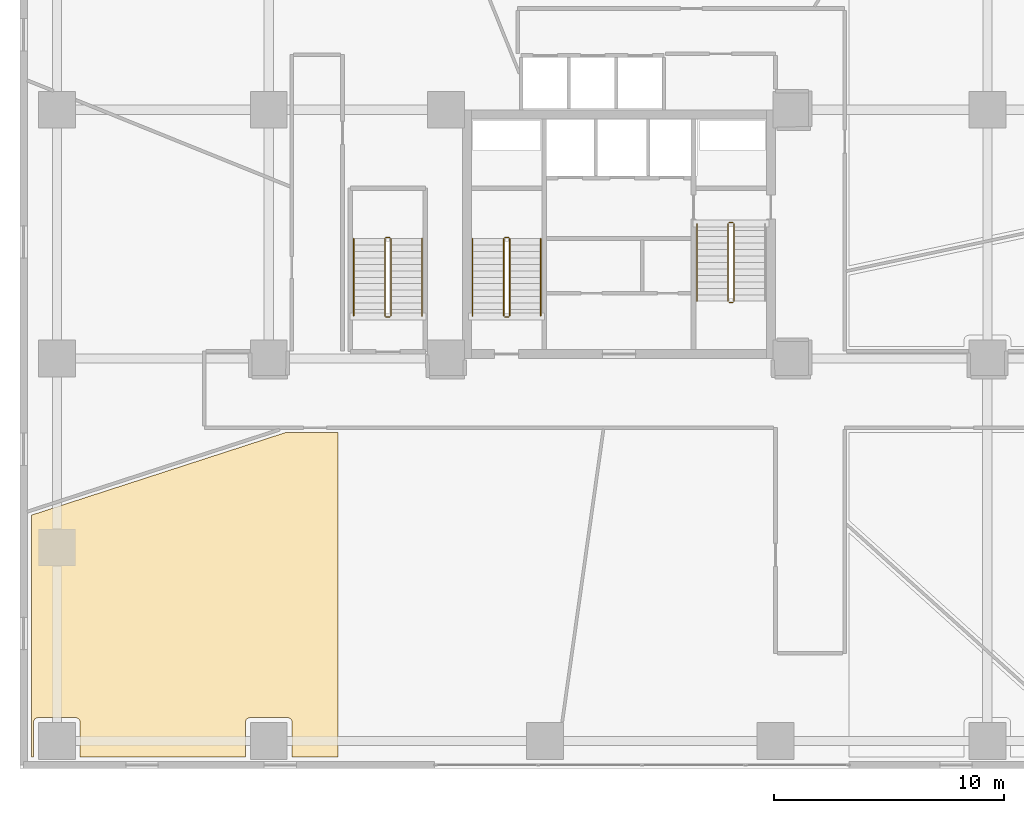
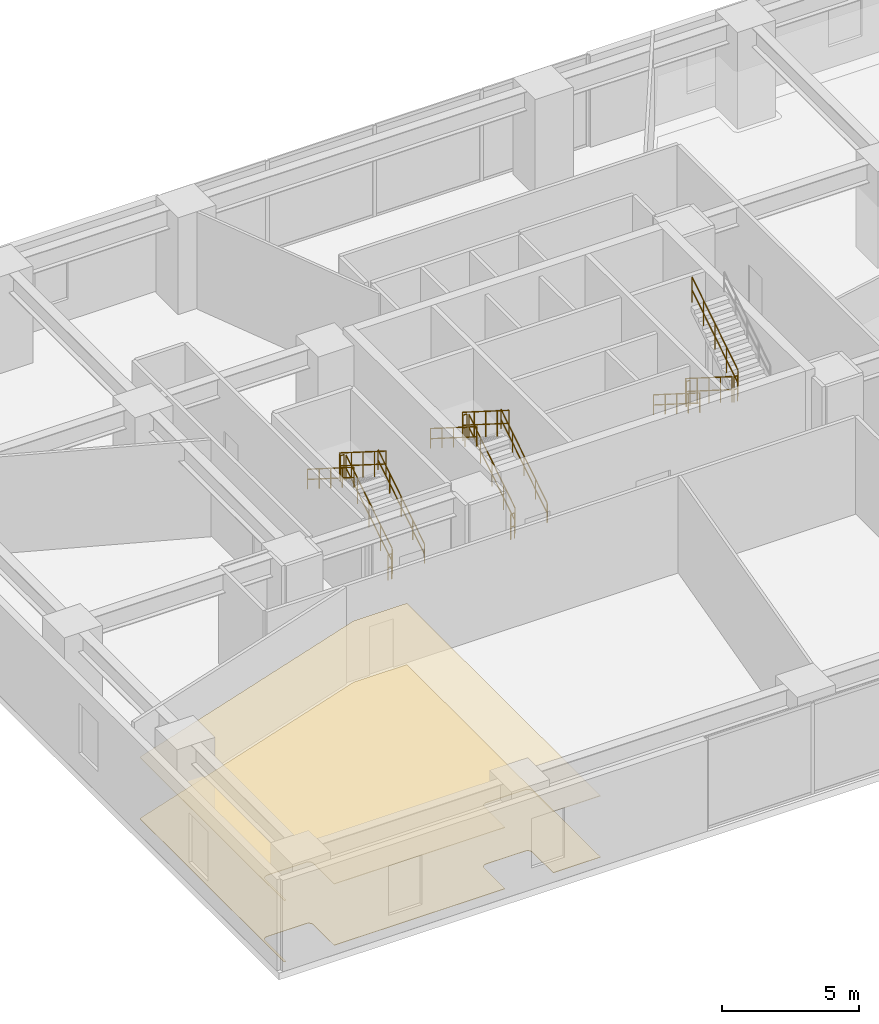
# One storey, part 22 of 24: 17 railings, 2 coverings.
"""IFC4 building model written with IfcOpenShell, lengths in metres."""

from ifc_helpers import new_model, si_unit, direction, frame, origin, origin_2d, place, context, subcontext, project, spatial, polyline, circle, outline, extrude, material, layer, layer_set, type_object, element, save


model = new_model("IFC4")

# Units and contexts
model_context = context("Model", 3, precision=1e-05, world=origin(), true_north=direction((0.0, 1.0)))
body_context = subcontext(model_context, "Body", "Model", "MODEL_VIEW")
ifc_project = project(units=[si_unit("LENGTHUNIT", "METRE"), si_unit("AREAUNIT", "SQUARE_METRE"), si_unit("VOLUMEUNIT", "CUBIC_METRE"), si_unit("PLANEANGLEUNIT", "RADIAN"), si_unit("MASSUNIT", "GRAM", prefix="KILO")], contexts=[model_context])

# Site, building, storey
site_placement = place(None, origin())
site = spatial("IfcSite", under=ifc_project, at=site_placement, CompositionType="ELEMENT")
building_placement = place(site_placement, origin())
building = spatial("IfcBuilding", under=site, at=building_placement, Name="Talar Marvaseh", CompositionType="ELEMENT")
storey_placement = place(building_placement, frame((0.0, 0.0, 9.800048828125)))
storey = spatial("IfcBuildingStorey", under=building, at=storey_placement, Name="L02", CompositionType="ELEMENT", Elevation=9.800048828125)

# Railings
ifc_material_1 = material(Name="Stainless Steel Grade 316", Category="steel")
railing_type_1 = type_object("IfcRailingType", Name="Brushed Stainless Wall Pitch Handrail 900", PredefinedType="HANDRAIL", material=ifc_material_1)
railing_1_placement = place(storey_placement, frame((22.610107421875, 27.64990234375, 0.1767578125)))
element("IfcRailing", 1, at=railing_1_placement, inside=storey, type_object=railing_type_1, Name="L02 ST-1 stair handrail 1", PredefinedType="HANDRAIL", context=body_context, shape_type="SweptSolid", body=[
    extrude(circle(Radius=0.02392578125, at=origin_2d()), frame((0.0, 0.0, 0.8759765625), z_axis=(0.0, 0.845361898145, 0.534194029511), x_axis=(-1.0, 0.0, 0.0)), (0.0, 0.0, 1.0), 3.974853515625),
    extrude(circle(Radius=0.02392578125, at=origin_2d()), frame((0.0, 0.0, 0.42578125), z_axis=(0.0, 0.845361898145, 0.534194029511), x_axis=(-1.0, 0.0, 0.0)), (0.0, 0.0, 1.0), 3.974853515625),
    extrude(circle(Radius=0.02099609375, at=origin_2d()), origin(), (0.0, 0.0, 1.0), 0.851806640625),
    extrude(circle(Radius=0.02099609375, at=origin_2d()), frame((0.0, 0.840087890625, 0.53076171875)), (0.0, 0.0, 1.0), 0.851806640625),
    extrude(circle(Radius=0.02099609375, at=origin_2d()), frame((0.0, 1.68017578125, 1.0615234375)), (0.0, 0.0, 1.0), 0.851806640625),
    extrude(circle(Radius=0.02099609375, at=origin_2d()), frame((0.0, 2.52001953125, 1.592529296875)), (0.0, 0.0, 1.0), 0.851806640625),
    extrude(circle(Radius=0.02099609375, at=origin_2d()), frame((0.0, 3.360107421875, 2.123291015625)), (0.0, 0.0, 1.0), 0.851806640625),
])
railing_2_placement = place(storey_placement, frame((19.64990234375, 31.010009765625, 2.476806640625)))
element("IfcRailing", 2, at=railing_2_placement, inside=storey, type_object=railing_type_1, Name="L02 ST-1 stair handrail 2", PredefinedType="HANDRAIL", context=body_context, shape_type="SweptSolid", body=[
    extrude(circle(Radius=0.02392578125, at=origin_2d()), frame((0.0, 0.0, 0.8759765625), z_axis=(0.0, -0.845389635667, 0.534150132366), x_axis=(1.0, 0.0, 0.0)), (0.0, 0.0, 1.0), 3.974609375),
    extrude(circle(Radius=0.02392578125, at=origin_2d()), frame((0.0, 0.0, 0.42578125), z_axis=(0.0, -0.845389635667, 0.534150132366), x_axis=(1.0, 0.0, 0.0)), (0.0, 0.0, 1.0), 3.974609375),
    extrude(circle(Radius=0.02099609375, at=origin_2d()), origin(), (0.0, 0.0, 1.0), 0.851806640625),
    extrude(circle(Radius=0.02099609375, at=origin_2d()), frame((0.0, -0.840087890625, 0.53076171875)), (0.0, 0.0, 1.0), 0.851806640625),
    extrude(circle(Radius=0.02099609375, at=origin_2d()), frame((0.0, -1.68017578125, 1.0615234375)), (0.0, 0.0, 1.0), 0.851806640625),
    extrude(circle(Radius=0.02099609375, at=origin_2d()), frame((0.0, -2.52001953125, 1.59228515625)), (0.0, 0.0, 1.0), 0.851806640625),
    extrude(circle(Radius=0.02099609375, at=origin_2d()), frame((0.0, -3.360107421875, 2.123046875)), (0.0, 0.0, 1.0), 0.851806640625),
])
railing_3_placement = place(storey_placement, frame((29.389892578125, 31.64990234375, 0.1767578125)))
element("IfcRailing", 3, at=railing_3_placement, inside=storey, type_object=railing_type_1, Name="L02 ST-2 stair handrail 1", PredefinedType="HANDRAIL", context=body_context, shape_type="SweptSolid", body=[
    extrude(circle(Radius=0.02392578125, at=origin_2d()), frame((0.0, 0.0, 0.8759765625), z_axis=(0.0, -0.845344368971, 0.534221768416), x_axis=(1.0, 0.0, 0.0)), (0.0, 0.0, 1.0), 3.974609375),
    extrude(circle(Radius=0.02392578125, at=origin_2d()), frame((0.0, 0.0, 0.42578125), z_axis=(0.0, -0.845344368971, 0.534221768416), x_axis=(1.0, 0.0, 0.0)), (0.0, 0.0, 1.0), 3.974609375),
    extrude(circle(Radius=0.02099609375, at=origin_2d()), origin(), (0.0, 0.0, 1.0), 0.851806640625),
    extrude(circle(Radius=0.02099609375, at=origin_2d()), frame((0.0, -0.83984375, 0.53076171875)), (0.0, 0.0, 1.0), 0.851806640625),
    extrude(circle(Radius=0.02099609375, at=origin_2d()), frame((0.0, -1.679931640625, 1.0615234375)), (0.0, 0.0, 1.0), 0.851806640625),
    extrude(circle(Radius=0.02099609375, at=origin_2d()), frame((0.0, -2.52001953125, 1.592529296875)), (0.0, 0.0, 1.0), 0.851806640625),
    extrude(circle(Radius=0.02099609375, at=origin_2d()), frame((0.0, -3.35986328125, 2.123291015625)), (0.0, 0.0, 1.0), 0.851806640625),
])
railing_4_placement = place(storey_placement, frame((17.449951171875, 27.64990234375, 0.1767578125)))
element("IfcRailing", 4, at=railing_4_placement, inside=storey, type_object=railing_type_1, Name="L02 ST-3 stair handrail 1", PredefinedType="HANDRAIL", context=body_context, shape_type="SweptSolid", body=[
    extrude(circle(Radius=0.02392578125, at=origin_2d()), frame((0.0, 0.0, 0.8759765625), z_axis=(0.0, 0.845361898145, 0.534194029511), x_axis=(-1.0, 0.0, 0.0)), (0.0, 0.0, 1.0), 3.974853515625),
    extrude(circle(Radius=0.02392578125, at=origin_2d()), frame((0.0, 0.0, 0.42578125), z_axis=(0.0, 0.845361898145, 0.534194029511), x_axis=(-1.0, 0.0, 0.0)), (0.0, 0.0, 1.0), 3.974853515625),
    extrude(circle(Radius=0.02099609375, at=origin_2d()), origin(), (0.0, 0.0, 1.0), 0.851806640625),
    extrude(circle(Radius=0.02099609375, at=origin_2d()), frame((0.0, 0.840087890625, 0.53076171875)), (0.0, 0.0, 1.0), 0.851806640625),
    extrude(circle(Radius=0.02099609375, at=origin_2d()), frame((0.0, 1.68017578125, 1.0615234375)), (0.0, 0.0, 1.0), 0.851806640625),
    extrude(circle(Radius=0.02099609375, at=origin_2d()), frame((0.0, 2.52001953125, 1.592529296875)), (0.0, 0.0, 1.0), 0.851806640625),
    extrude(circle(Radius=0.02099609375, at=origin_2d()), frame((0.0, 3.360107421875, 2.123291015625)), (0.0, 0.0, 1.0), 0.851806640625),
])
railing_5_placement = place(storey_placement, frame((14.489990234375, 31.010009765625, 2.476806640625)))
element("IfcRailing", 5, at=railing_5_placement, inside=storey, type_object=railing_type_1, Name="L02 ST-3 stair handrail 2", PredefinedType="HANDRAIL", context=body_context, shape_type="SweptSolid", body=[
    extrude(circle(Radius=0.02392578125, at=origin_2d()), frame((0.0, 0.0, 0.8759765625), z_axis=(0.0, -0.845389635667, 0.534150132366), x_axis=(1.0, 0.0, 0.0)), (0.0, 0.0, 1.0), 3.974609375),
    extrude(circle(Radius=0.02392578125, at=origin_2d()), frame((0.0, 0.0, 0.42578125), z_axis=(0.0, -0.845389635667, 0.534150132366), x_axis=(1.0, 0.0, 0.0)), (0.0, 0.0, 1.0), 3.974609375),
    extrude(circle(Radius=0.02099609375, at=origin_2d()), origin(), (0.0, 0.0, 1.0), 0.851806640625),
    extrude(circle(Radius=0.02099609375, at=origin_2d()), frame((0.0, -0.840087890625, 0.53076171875)), (0.0, 0.0, 1.0), 0.851806640625),
    extrude(circle(Radius=0.02099609375, at=origin_2d()), frame((0.0, -1.68017578125, 1.0615234375)), (0.0, 0.0, 1.0), 0.851806640625),
    extrude(circle(Radius=0.02099609375, at=origin_2d()), frame((0.0, -2.52001953125, 1.59228515625)), (0.0, 0.0, 1.0), 0.851806640625),
    extrude(circle(Radius=0.02099609375, at=origin_2d()), frame((0.0, -3.360107421875, 2.123046875)), (0.0, 0.0, 1.0), 0.851806640625),
])
railing_type_2 = type_object("IfcRailingType", Name="Painted Steel Core Stair Well Guardrail 1150", PredefinedType="GUARDRAIL", material=ifc_material_1)
railing_6_placement = place(storey_placement, frame((21.260009765625, 27.64990234375, 0.1767578125)))
element("IfcRailing", 6, at=railing_6_placement, inside=storey, type_object=railing_type_2, Name="L02 ST-1 stair guard 1", PredefinedType="GUARDRAIL", context=body_context, shape_type="SweptSolid", body=[
    extrude(circle(Radius=0.02392578125, at=origin_2d()), frame((0.0, 0.0, 1.1259765625), z_axis=(0.0, 0.845361898145, 0.534194029511), x_axis=(-1.0, 0.0, 0.0)), (0.0, 0.0, 1.0), 3.974853515625),
    extrude(circle(Radius=0.02392578125, at=origin_2d()), frame((0.0, 0.0, 0.55078125), z_axis=(0.0, 0.845361898145, 0.534194029511), x_axis=(-1.0, 0.0, 0.0)), (0.0, 0.0, 1.0), 3.974853515625),
    extrude(circle(Radius=0.02099609375, at=origin_2d()), origin(), (0.0, 0.0, 1.0), 1.101806640625),
    extrude(circle(Radius=0.02099609375, at=origin_2d()), frame((0.0, 0.840087890625, 0.53076171875)), (0.0, 0.0, 1.0), 1.101806640625),
    extrude(circle(Radius=0.02099609375, at=origin_2d()), frame((0.0, 1.68017578125, 1.0615234375)), (0.0, 0.0, 1.0), 1.101806640625),
    extrude(circle(Radius=0.02099609375, at=origin_2d()), frame((0.0, 2.52001953125, 1.592529296875)), (0.0, 0.0, 1.0), 1.101806640625),
    extrude(circle(Radius=0.02099609375, at=origin_2d()), frame((0.0, 3.360107421875, 2.123291015625)), (0.0, 0.0, 1.0), 1.101806640625),
])
railing_7_placement = place(storey_placement, frame((21.2099609375, 31.06005859375, 2.300048828125)))
element("IfcRailing", 7, at=railing_7_placement, inside=storey, type_object=railing_type_2, Name="L02 ST-1 stair guard 2", PredefinedType="GUARDRAIL", context=body_context, shape_type="SweptSolid", body=[
    extrude(circle(Radius=0.02392578125, at=origin_2d()), frame((0.0, 0.0, 1.1259765625), z_axis=(-1.0, 0.0, 0.0), x_axis=(0.0, -1.0, 0.0)), (0.0, 0.0, 1.0), 0.159912109375),
    extrude(circle(Radius=0.02392578125, at=origin_2d()), frame((0.0, 0.0, 0.55078125), z_axis=(-1.0, 0.0, 0.0), x_axis=(0.0, -1.0, 0.0)), (0.0, 0.0, 1.0), 0.159912109375),
    extrude(circle(Radius=0.02099609375, at=origin_2d()), origin(), (0.0, 0.0, 1.0), 1.101806640625),
    extrude(circle(Radius=0.02099609375, at=origin_2d()), frame((-0.159912109375, 0.0, 0.0)), (0.0, 0.0, 1.0), 1.101806640625),
])
railing_8_placement = place(storey_placement, frame((21.0, 31.010009765625, 2.476806640625)))
element("IfcRailing", 8, at=railing_8_placement, inside=storey, type_object=railing_type_2, Name="L02 ST-1 stair guard 3", PredefinedType="GUARDRAIL", context=body_context, shape_type="SweptSolid", body=[
    extrude(circle(Radius=0.02392578125, at=origin_2d()), frame((0.0, 0.0, 1.1259765625), z_axis=(0.0, -0.845389635667, 0.534150132366), x_axis=(1.0, 0.0, 0.0)), (0.0, 0.0, 1.0), 3.974609375),
    extrude(circle(Radius=0.02392578125, at=origin_2d()), frame((0.0, 0.0, 0.55078125), z_axis=(0.0, -0.845389635667, 0.534150132366), x_axis=(1.0, 0.0, 0.0)), (0.0, 0.0, 1.0), 3.974609375),
    extrude(circle(Radius=0.02099609375, at=origin_2d()), origin(), (0.0, 0.0, 1.0), 1.101806640625),
    extrude(circle(Radius=0.02099609375, at=origin_2d()), frame((0.0, -0.840087890625, 0.53076171875)), (0.0, 0.0, 1.0), 1.101806640625),
    extrude(circle(Radius=0.02099609375, at=origin_2d()), frame((0.0, -1.68017578125, 1.0615234375)), (0.0, 0.0, 1.0), 1.101806640625),
    extrude(circle(Radius=0.02099609375, at=origin_2d()), frame((0.0, -2.52001953125, 1.59228515625)), (0.0, 0.0, 1.0), 1.101806640625),
    extrude(circle(Radius=0.02099609375, at=origin_2d()), frame((0.0, -3.360107421875, 2.123046875)), (0.0, 0.0, 1.0), 1.101806640625),
])
railing_9_placement = place(storey_placement, frame((21.2099609375, 27.60009765625, 0.0)))
element("IfcRailing", 9, at=railing_9_placement, inside=storey, type_object=railing_type_2, Name="L02 ST-1 stair guard 4", PredefinedType="GUARDRAIL", context=body_context, shape_type="SweptSolid", body=[
    extrude(circle(Radius=0.02392578125, at=origin_2d()), frame((0.0, 0.0, 1.1259765625), z_axis=(-1.0, 0.0, 0.0), x_axis=(0.0, -1.0, 0.0)), (0.0, 0.0, 1.0), 0.159912109375),
    extrude(circle(Radius=0.02392578125, at=origin_2d()), frame((0.0, 0.0, 0.55078125), z_axis=(-1.0, 0.0, 0.0), x_axis=(0.0, -1.0, 0.0)), (0.0, 0.0, 1.0), 0.159912109375),
    extrude(circle(Radius=0.02099609375, at=origin_2d()), origin(), (0.0, 0.0, 1.0), 1.101806640625),
    extrude(circle(Radius=0.02099609375, at=origin_2d()), frame((-0.159912109375, 0.0, 0.0)), (0.0, 0.0, 1.0), 1.101806640625),
])
railing_10_placement = place(storey_placement, frame((30.739990234375, 31.64990234375, 0.1767578125)))
element("IfcRailing", 10, at=railing_10_placement, inside=storey, type_object=railing_type_2, Name="L02 ST-2 stair guard 1", PredefinedType="GUARDRAIL", context=body_context, shape_type="SweptSolid", body=[
    extrude(circle(Radius=0.02392578125, at=origin_2d()), frame((0.0, 0.0, 1.1259765625), z_axis=(0.0, -0.845344368971, 0.534221768416), x_axis=(1.0, 0.0, 0.0)), (0.0, 0.0, 1.0), 3.974609375),
    extrude(circle(Radius=0.02392578125, at=origin_2d()), frame((0.0, 0.0, 0.55078125), z_axis=(0.0, -0.845344368971, 0.534221768416), x_axis=(1.0, 0.0, 0.0)), (0.0, 0.0, 1.0), 3.974609375),
    extrude(circle(Radius=0.02099609375, at=origin_2d()), origin(), (0.0, 0.0, 1.0), 1.101806640625),
    extrude(circle(Radius=0.02099609375, at=origin_2d()), frame((0.0, -0.83984375, 0.53076171875)), (0.0, 0.0, 1.0), 1.101806640625),
    extrude(circle(Radius=0.02099609375, at=origin_2d()), frame((0.0, -1.679931640625, 1.0615234375)), (0.0, 0.0, 1.0), 1.101806640625),
    extrude(circle(Radius=0.02099609375, at=origin_2d()), frame((0.0, -2.52001953125, 1.592529296875)), (0.0, 0.0, 1.0), 1.101806640625),
    extrude(circle(Radius=0.02099609375, at=origin_2d()), frame((0.0, -3.35986328125, 2.123291015625)), (0.0, 0.0, 1.0), 1.101806640625),
])
railing_11_placement = place(storey_placement, frame((30.7900390625, 28.239990234375, 2.300048828125)))
element("IfcRailing", 11, at=railing_11_placement, inside=storey, type_object=railing_type_2, Name="L02 ST-2 stair guard 2", PredefinedType="GUARDRAIL", context=body_context, shape_type="SweptSolid", body=[
    extrude(circle(Radius=0.02392578125, at=origin_2d()), frame((0.0, 0.0, 1.1259765625), z_axis=(1.0, 0.0, 0.0), x_axis=(0.0, 1.0, 0.0)), (0.0, 0.0, 1.0), 0.159912109375),
    extrude(circle(Radius=0.02392578125, at=origin_2d()), frame((0.0, 0.0, 0.55078125), z_axis=(1.0, 0.0, 0.0), x_axis=(0.0, 1.0, 0.0)), (0.0, 0.0, 1.0), 0.159912109375),
    extrude(circle(Radius=0.02099609375, at=origin_2d()), origin(), (0.0, 0.0, 1.0), 1.101806640625),
    extrude(circle(Radius=0.02099609375, at=origin_2d()), frame((0.159912109375, 0.0, 0.0)), (0.0, 0.0, 1.0), 1.101806640625),
])
railing_12_placement = place(storey_placement, frame((31.0, 28.2900390625, 2.476806640625)))
element("IfcRailing", 12, at=railing_12_placement, inside=storey, type_object=railing_type_2, Name="L02 ST-2 stair guard 3", PredefinedType="GUARDRAIL", context=body_context, shape_type="SweptSolid", body=[
    extrude(circle(Radius=0.02392578125, at=origin_2d()), frame((0.0, 0.0, 1.1259765625), z_axis=(0.0, 0.845372108799, 0.534177870812), x_axis=(-1.0, 0.0, 0.0)), (0.0, 0.0, 1.0), 3.974365234375),
    extrude(circle(Radius=0.02392578125, at=origin_2d()), frame((0.0, 0.0, 0.55078125), z_axis=(0.0, 0.845372108799, 0.534177870812), x_axis=(-1.0, 0.0, 0.0)), (0.0, 0.0, 1.0), 3.974365234375),
    extrude(circle(Radius=0.02099609375, at=origin_2d()), origin(), (0.0, 0.0, 1.0), 1.101806640625),
    extrude(circle(Radius=0.02099609375, at=origin_2d()), frame((0.0, 0.83984375, 0.53076171875)), (0.0, 0.0, 1.0), 1.101806640625),
    extrude(circle(Radius=0.02099609375, at=origin_2d()), frame((0.0, 1.679931640625, 1.0615234375)), (0.0, 0.0, 1.0), 1.101806640625),
    extrude(circle(Radius=0.02099609375, at=origin_2d()), frame((0.0, 2.52001953125, 1.59228515625)), (0.0, 0.0, 1.0), 1.101806640625),
    extrude(circle(Radius=0.02099609375, at=origin_2d()), frame((0.0, 3.35986328125, 2.123046875)), (0.0, 0.0, 1.0), 1.101806640625),
])
railing_13_placement = place(storey_placement, frame((30.7900390625, 31.699951171875, 0.0)))
element("IfcRailing", 13, at=railing_13_placement, inside=storey, type_object=railing_type_2, Name="L02 ST-2 stair guard 4", PredefinedType="GUARDRAIL", context=body_context, shape_type="SweptSolid", body=[
    extrude(circle(Radius=0.02392578125, at=origin_2d()), frame((0.0, 0.0, 1.1259765625), z_axis=(1.0, 0.0, 0.0), x_axis=(0.0, 1.0, 0.0)), (0.0, 0.0, 1.0), 0.159912109375),
    extrude(circle(Radius=0.02392578125, at=origin_2d()), frame((0.0, 0.0, 0.55078125), z_axis=(1.0, 0.0, 0.0), x_axis=(0.0, 1.0, 0.0)), (0.0, 0.0, 1.0), 0.159912109375),
    extrude(circle(Radius=0.02099609375, at=origin_2d()), origin(), (0.0, 0.0, 1.0), 1.101806640625),
    extrude(circle(Radius=0.02099609375, at=origin_2d()), frame((0.159912109375, 0.0, 0.0)), (0.0, 0.0, 1.0), 1.101806640625),
])
railing_14_placement = place(storey_placement, frame((16.10009765625, 27.64990234375, 0.1767578125)))
element("IfcRailing", 14, at=railing_14_placement, inside=storey, type_object=railing_type_2, Name="L02 ST-3 stair guard 1", PredefinedType="GUARDRAIL", context=body_context, shape_type="SweptSolid", body=[
    extrude(circle(Radius=0.02392578125, at=origin_2d()), frame((0.0, 0.0, 1.1259765625), z_axis=(0.0, 0.845361898145, 0.534194029511), x_axis=(-1.0, 0.0, 0.0)), (0.0, 0.0, 1.0), 3.974853515625),
    extrude(circle(Radius=0.02392578125, at=origin_2d()), frame((0.0, 0.0, 0.55078125), z_axis=(0.0, 0.845361898145, 0.534194029511), x_axis=(-1.0, 0.0, 0.0)), (0.0, 0.0, 1.0), 3.974853515625),
    extrude(circle(Radius=0.02099609375, at=origin_2d()), origin(), (0.0, 0.0, 1.0), 1.101806640625),
    extrude(circle(Radius=0.02099609375, at=origin_2d()), frame((0.0, 0.840087890625, 0.53076171875)), (0.0, 0.0, 1.0), 1.101806640625),
    extrude(circle(Radius=0.02099609375, at=origin_2d()), frame((0.0, 1.68017578125, 1.0615234375)), (0.0, 0.0, 1.0), 1.101806640625),
    extrude(circle(Radius=0.02099609375, at=origin_2d()), frame((0.0, 2.52001953125, 1.592529296875)), (0.0, 0.0, 1.0), 1.101806640625),
    extrude(circle(Radius=0.02099609375, at=origin_2d()), frame((0.0, 3.360107421875, 2.123291015625)), (0.0, 0.0, 1.0), 1.101806640625),
])
railing_15_placement = place(storey_placement, frame((16.050048828125, 31.06005859375, 2.300048828125)))
element("IfcRailing", 15, at=railing_15_placement, inside=storey, type_object=railing_type_2, Name="L02 ST-3 stair guard 2", PredefinedType="GUARDRAIL", context=body_context, shape_type="SweptSolid", body=[
    extrude(circle(Radius=0.02392578125, at=origin_2d()), frame((0.0, 0.0, 1.1259765625), z_axis=(-1.0, 0.0, 0.0), x_axis=(0.0, -1.0, 0.0)), (0.0, 0.0, 1.0), 0.16015625),
    extrude(circle(Radius=0.02392578125, at=origin_2d()), frame((0.0, 0.0, 0.55078125), z_axis=(-1.0, 0.0, 0.0), x_axis=(0.0, -1.0, 0.0)), (0.0, 0.0, 1.0), 0.16015625),
    extrude(circle(Radius=0.02099609375, at=origin_2d()), origin(), (0.0, 0.0, 1.0), 1.101806640625),
    extrude(circle(Radius=0.02099609375, at=origin_2d()), frame((-0.16015625, 0.0, 0.0)), (0.0, 0.0, 1.0), 1.101806640625),
])
railing_16_placement = place(storey_placement, frame((15.840087890625, 31.010009765625, 2.476806640625)))
element("IfcRailing", 16, at=railing_16_placement, inside=storey, type_object=railing_type_2, Name="L02 ST-3 stair guard 3", PredefinedType="GUARDRAIL", context=body_context, shape_type="SweptSolid", body=[
    extrude(circle(Radius=0.02392578125, at=origin_2d()), frame((0.0, 0.0, 1.1259765625), z_axis=(0.0, -0.845389635667, 0.534150132366), x_axis=(1.0, 0.0, 0.0)), (0.0, 0.0, 1.0), 3.974609375),
    extrude(circle(Radius=0.02392578125, at=origin_2d()), frame((0.0, 0.0, 0.55078125), z_axis=(0.0, -0.845389635667, 0.534150132366), x_axis=(1.0, 0.0, 0.0)), (0.0, 0.0, 1.0), 3.974609375),
    extrude(circle(Radius=0.02099609375, at=origin_2d()), origin(), (0.0, 0.0, 1.0), 1.101806640625),
    extrude(circle(Radius=0.02099609375, at=origin_2d()), frame((0.0, -0.840087890625, 0.53076171875)), (0.0, 0.0, 1.0), 1.101806640625),
    extrude(circle(Radius=0.02099609375, at=origin_2d()), frame((0.0, -1.68017578125, 1.0615234375)), (0.0, 0.0, 1.0), 1.101806640625),
    extrude(circle(Radius=0.02099609375, at=origin_2d()), frame((0.0, -2.52001953125, 1.59228515625)), (0.0, 0.0, 1.0), 1.101806640625),
    extrude(circle(Radius=0.02099609375, at=origin_2d()), frame((0.0, -3.360107421875, 2.123046875)), (0.0, 0.0, 1.0), 1.101806640625),
])
railing_17_placement = place(storey_placement, frame((16.050048828125, 27.60009765625, 0.0)))
element("IfcRailing", 17, at=railing_17_placement, inside=storey, type_object=railing_type_2, Name="L02 ST-3 stair guard 4", PredefinedType="GUARDRAIL", context=body_context, shape_type="SweptSolid", body=[
    extrude(circle(Radius=0.02392578125, at=origin_2d()), frame((0.0, 0.0, 1.1259765625), z_axis=(-1.0, 0.0, 0.0), x_axis=(0.0, -1.0, 0.0)), (0.0, 0.0, 1.0), 0.16015625),
    extrude(circle(Radius=0.02392578125, at=origin_2d()), frame((0.0, 0.0, 0.55078125), z_axis=(-1.0, 0.0, 0.0), x_axis=(0.0, -1.0, 0.0)), (0.0, 0.0, 1.0), 0.16015625),
    extrude(circle(Radius=0.02099609375, at=origin_2d()), origin(), (0.0, 0.0, 1.0), 1.101806640625),
    extrude(circle(Radius=0.02099609375, at=origin_2d()), frame((-0.16015625, 0.0, 0.0)), (0.0, 0.0, 1.0), 1.101806640625),
])

# Coverings
ifc_material_2 = material(Name="Mineral Fibre Acoustic Ceiling")
ifc_layer_1 = layer(ifc_material_2, 0.02490234375)
ifc_layer_set_1 = layer_set([ifc_layer_1], Name="Mineral Fibre Acoustic Ceiling")
covering_type_1 = type_object("IfcCoveringType", Name="Perforated Mineral Fibre Acoustic Suspended Ceiling", PredefinedType="CEILING", material=ifc_layer_set_1)
covering_1_placement = place(storey_placement, frame((0.0, 0.0, 2.719970703125)))
element("IfcCovering", 18, at=covering_1_placement, inside=storey, type_object=covering_type_1, Name="L02 Main Raked Cultural Auditorium Acoustic Ceiling", PredefinedType="CEILING", context=body_context, shape_type="SweptSolid", body=[
    extrude(outline(polyline([(13.800048828125, 22.60009765625), (13.800048828125, 8.510009765625), (11.814697265625, 8.510009765625), (11.810546875, 10.010986328125), (11.8095703125, 10.03076171875), (11.806640625, 10.050048828125), (11.802001953125, 10.069091796875), (11.795166015625, 10.08740234375), (11.786865234375, 10.105224609375), (11.776611328125, 10.1220703125), (11.764892578125, 10.1376953125), (11.751708984375, 10.152099609375), (11.7373046875, 10.165283203125), (11.721435546875, 10.177001953125), (11.70458984375, 10.18701171875), (11.68701171875, 10.1953125), (11.668701171875, 10.201904296875), (11.649658203125, 10.206787109375), (11.630126953125, 10.209716796875), (11.610595703125, 10.210693359375), (9.989501953125, 10.210693359375), (9.9697265625, 10.209716796875), (9.950439453125, 10.206787109375), (9.931396484375, 10.201904296875), (9.912841796875, 10.1953125), (9.89501953125, 10.18701171875), (9.87841796875, 10.177001953125), (9.862548828125, 10.165283203125), (9.847900390625, 10.152099609375), (9.834716796875, 10.137451171875), (9.822998046875, 10.12158203125), (9.81298828125, 10.10498046875), (9.8046875, 10.087158203125), (9.798095703125, 10.068603515625), (9.793212890625, 10.049560546875), (9.790283203125, 10.0302734375), (9.789306640625, 10.010498046875), (9.789306640625, 8.510009765625), (2.61474609375, 8.510009765625), (2.610595703125, 10.010986328125), (2.609619140625, 10.03076171875), (2.606689453125, 10.050048828125), (2.601806640625, 10.069091796875), (2.59521484375, 10.08740234375), (2.5869140625, 10.105224609375), (2.57666015625, 10.1220703125), (2.56494140625, 10.1376953125), (2.5517578125, 10.152099609375), (2.537353515625, 10.165283203125), (2.521484375, 10.177001953125), (2.504638671875, 10.18701171875), (2.487060546875, 10.1953125), (2.468505859375, 10.201904296875), (2.44970703125, 10.206787109375), (2.43017578125, 10.209716796875), (2.41064453125, 10.210693359375), (0.789306640625, 10.210693359375), (0.769775390625, 10.209716796875), (0.75048828125, 10.206787109375), (0.731201171875, 10.201904296875), (0.712890625, 10.1953125), (0.695068359375, 10.18701171875), (0.67822265625, 10.177001953125), (0.66259765625, 10.165283203125), (0.64794921875, 10.152099609375), (0.634765625, 10.137451171875), (0.623046875, 10.12158203125), (0.613037109375, 10.10498046875), (0.6044921875, 10.087158203125), (0.597900390625, 10.068603515625), (0.59326171875, 10.049560546875), (0.59033203125, 10.0302734375), (0.58935546875, 10.010498046875), (0.58935546875, 8.510009765625), (0.510009765625, 8.510009765625), (0.510009765625, 19.007568359375), (11.566650390625, 22.60009765625), (13.800048828125, 22.60009765625)])), origin(), (0.0, 0.0, 1.0), 0.02490234375),
])
ifc_material_3 = material(Name="Porcelain Stoneware Tile", Category="masonry")
ifc_layer_2 = layer(ifc_material_3, 0.02001953125)
ifc_layer_set_2 = layer_set([ifc_layer_2], Name="Porcelain Stoneware Tile")
covering_type_2 = type_object("IfcCoveringType", Name="Polished Porcelain Stoneware Gallery Flooring", PredefinedType="FLOORING", material=ifc_layer_set_2)
covering_2_placement = place(storey_placement, origin())
element("IfcCovering", 19, at=covering_2_placement, inside=storey, type_object=covering_type_2, Name="L02 Main Raked Cultural Auditorium Flooring", PredefinedType="FLOORING", context=body_context, shape_type="SweptSolid", body=[
    extrude(outline(polyline([(13.800048828125, 22.60009765625), (13.800048828125, 8.510009765625), (11.814697265625, 8.510009765625), (11.810546875, 10.010986328125), (11.8095703125, 10.03076171875), (11.806640625, 10.050048828125), (11.802001953125, 10.069091796875), (11.795166015625, 10.08740234375), (11.786865234375, 10.105224609375), (11.776611328125, 10.1220703125), (11.764892578125, 10.1376953125), (11.751708984375, 10.152099609375), (11.7373046875, 10.165283203125), (11.721435546875, 10.177001953125), (11.70458984375, 10.18701171875), (11.68701171875, 10.1953125), (11.668701171875, 10.201904296875), (11.649658203125, 10.206787109375), (11.630126953125, 10.209716796875), (11.610595703125, 10.210693359375), (9.989501953125, 10.210693359375), (9.9697265625, 10.209716796875), (9.950439453125, 10.206787109375), (9.931396484375, 10.201904296875), (9.912841796875, 10.1953125), (9.89501953125, 10.18701171875), (9.87841796875, 10.177001953125), (9.862548828125, 10.165283203125), (9.847900390625, 10.152099609375), (9.834716796875, 10.137451171875), (9.822998046875, 10.12158203125), (9.81298828125, 10.10498046875), (9.8046875, 10.087158203125), (9.798095703125, 10.068603515625), (9.793212890625, 10.049560546875), (9.790283203125, 10.0302734375), (9.789306640625, 10.010498046875), (9.789306640625, 8.510009765625), (2.61474609375, 8.510009765625), (2.610595703125, 10.010986328125), (2.609619140625, 10.03076171875), (2.606689453125, 10.050048828125), (2.601806640625, 10.069091796875), (2.59521484375, 10.08740234375), (2.5869140625, 10.105224609375), (2.57666015625, 10.1220703125), (2.56494140625, 10.1376953125), (2.5517578125, 10.152099609375), (2.537353515625, 10.165283203125), (2.521484375, 10.177001953125), (2.504638671875, 10.18701171875), (2.487060546875, 10.1953125), (2.468505859375, 10.201904296875), (2.44970703125, 10.206787109375), (2.43017578125, 10.209716796875), (2.41064453125, 10.210693359375), (0.789306640625, 10.210693359375), (0.769775390625, 10.209716796875), (0.75048828125, 10.206787109375), (0.731201171875, 10.201904296875), (0.712890625, 10.1953125), (0.695068359375, 10.18701171875), (0.67822265625, 10.177001953125), (0.66259765625, 10.165283203125), (0.64794921875, 10.152099609375), (0.634765625, 10.137451171875), (0.623046875, 10.12158203125), (0.613037109375, 10.10498046875), (0.6044921875, 10.087158203125), (0.597900390625, 10.068603515625), (0.59326171875, 10.049560546875), (0.59033203125, 10.0302734375), (0.58935546875, 10.010498046875), (0.58935546875, 8.510009765625), (0.510009765625, 8.510009765625), (0.510009765625, 19.007568359375), (11.566650390625, 22.60009765625), (13.800048828125, 22.60009765625)])), origin(), (0.0, 0.0, 1.0), 0.02001953125),
])

save(model, "model.ifc")
